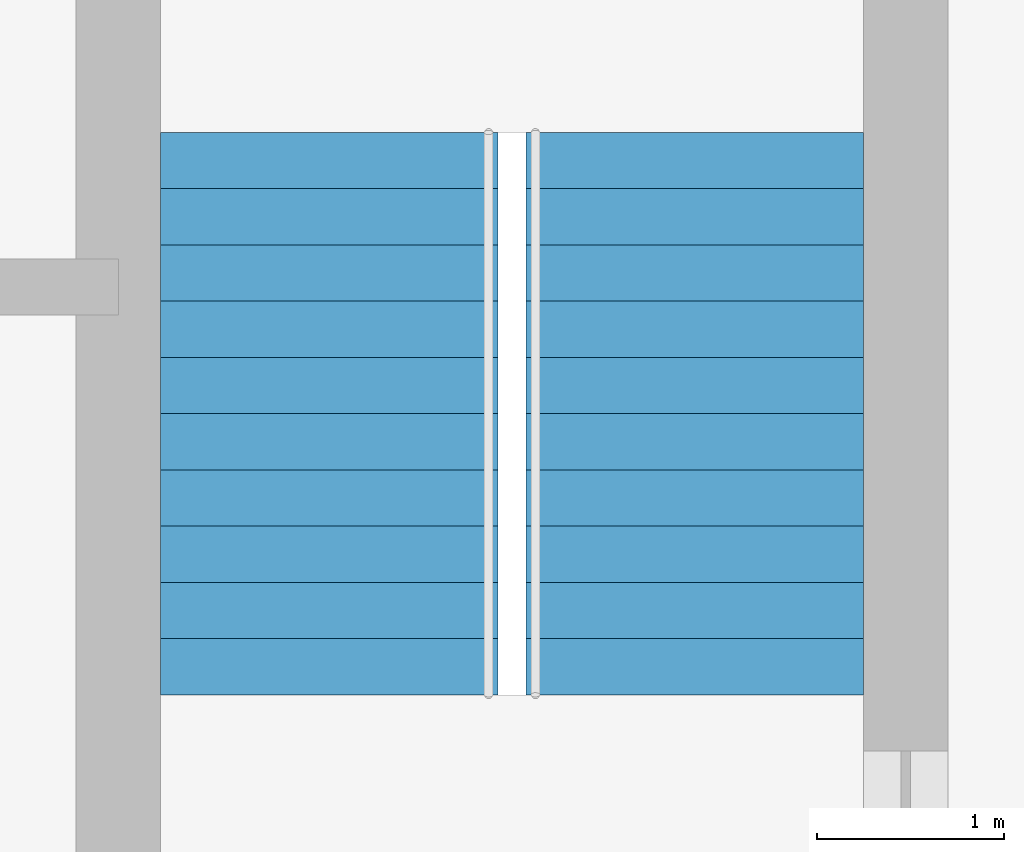
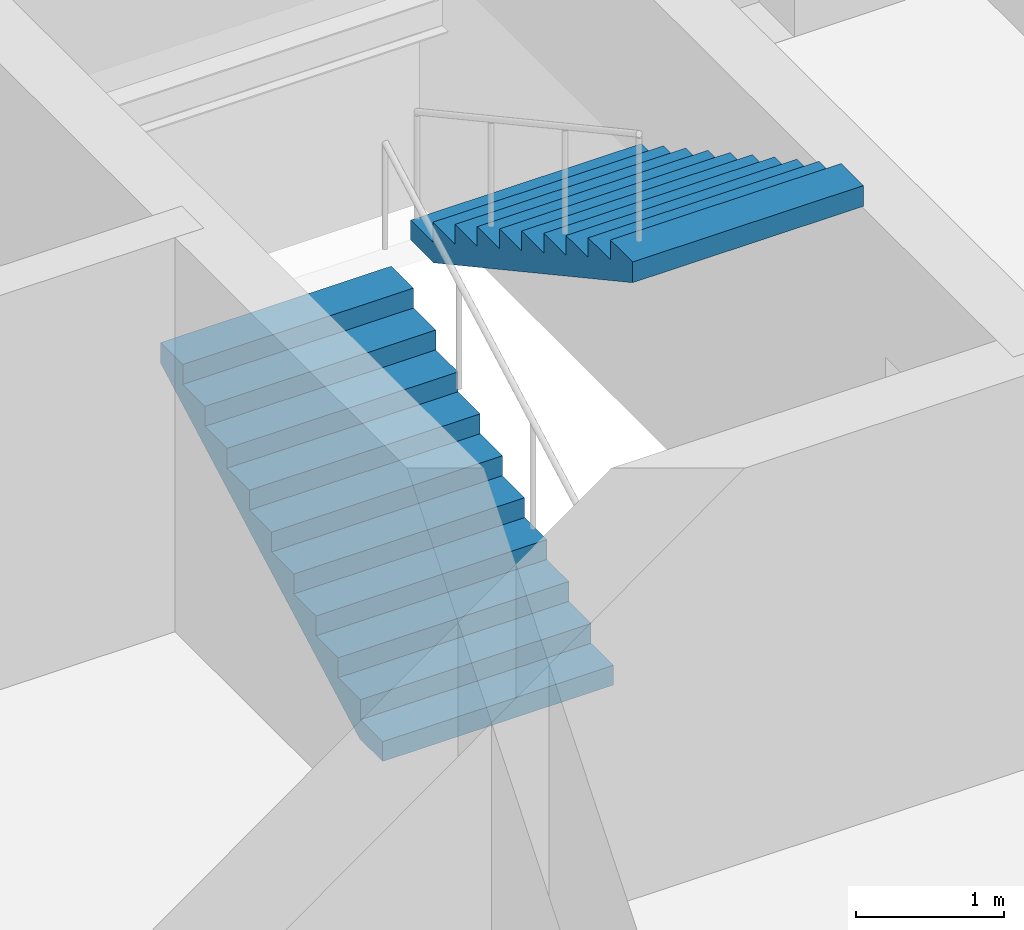
# One storey, part 13 of 14: 2 stair flights, 1 element without a shape of its own.
"""IFC4 building model written with IfcOpenShell, lengths in metres."""

from ifc_helpers import new_model, si_unit, direction, frame, origin, place, context, subcontext, project, spatial, polyline, outline, extrude, material, type_object, element, aggregate, save


model = new_model("IFC4")

# Units and contexts
model_context = context("Model", 3, precision=1e-05, world=origin(), true_north=direction((0.0, 1.0)))
body_context = subcontext(model_context, "Body", "Model", "MODEL_VIEW")
ifc_project = project(units=[si_unit("LENGTHUNIT", "METRE"), si_unit("AREAUNIT", "SQUARE_METRE"), si_unit("VOLUMEUNIT", "CUBIC_METRE"), si_unit("PLANEANGLEUNIT", "RADIAN"), si_unit("MASSUNIT", "GRAM", prefix="KILO")], contexts=[model_context])

# Site, building, storey
site_placement = place(None, origin())
site = spatial("IfcSite", under=ifc_project, at=site_placement, CompositionType="ELEMENT")
building_placement = place(site_placement, origin())
building = spatial("IfcBuilding", under=site, at=building_placement, Name="Dunama Terrace Hotel", CompositionType="ELEMENT")
storey_placement = place(building_placement, frame((0.0, 0.0, 136.800048828125)))
storey = spatial("IfcBuildingStorey", under=building, at=storey_placement, Name="L35", CompositionType="ELEMENT", Elevation=136.800048828125)

# Stair, stair flights
ifc_material_1 = material(Name="Concrete C40/50", Category="concrete")
stair_type = type_object("IfcStairType", Name="Stair ST1-3600-1800", PredefinedType="HALF_TURN_STAIR", material=ifc_material_1)
stair_placement = place(storey_placement, origin())
stair = element("IfcStair", 1, at=stair_placement, inside=storey, type_object=stair_type, Name="Stair ST1 L35", PredefinedType="HALF_TURN_STAIR")
ifc_material_2 = material(Name="Concrete C40/50", Category="concrete")
stair_flight_type = type_object("IfcStairFlightType", Name="Stair flight ST1-3600-1800", PredefinedType="STRAIGHT", material=ifc_material_2)
stair_flight_1_placement = place(storey_placement, frame((26.324951171875, 35.625, 0.0), z_axis=(0.0, 0.0, 1.0), x_axis=(0.0, 1.0, 0.0)))
stair_flight_1 = element("IfcStairFlight", 2, at=stair_flight_1_placement, type_object=stair_flight_type, Name="ST1 flight 1", NumberOfRisers=11, NumberOfTreads=10, PredefinedType="STRAIGHT", RiserHeight=0.163636364, TreadLength=0.3, context=body_context, shape_type="SweptSolid", body=[
    extrude(outline(polyline([(0.0, 0.0), (0.0, 0.16357421875), (0.300048828125, 0.16357421875), (0.300048828125, 0.327392578125), (0.60009765625, 0.327392578125), (0.60009765625, 0.490966796875), (0.89990234375, 0.490966796875), (0.89990234375, 0.654541015625), (1.199951171875, 0.654541015625), (1.199951171875, 0.818115234375), (1.5, 0.818115234375), (1.5, 0.98193359375), (1.800048828125, 0.98193359375), (1.800048828125, 1.1455078125), (2.10009765625, 1.1455078125), (2.10009765625, 1.30908203125), (2.39990234375, 1.30908203125), (2.39990234375, 1.47265625), (2.699951171875, 1.47265625), (2.699951171875, 1.636474609375), (3.0, 1.636474609375), (3.0, 1.800048828125), (3.0, 1.465576171875), (0.31298828125, 0.0), (0.0, 0.0)])), frame((0.0, 0.89990234375, 0.0), z_axis=(0.0, -1.0, 0.0), x_axis=(1.0, 0.0, 0.0)), (0.0, 0.0, 1.0), 1.800048828125),
])
stair_flight_2_placement = place(storey_placement, frame((28.27490234375, 38.625, 1.800048828125), z_axis=(0.0, 0.0, 1.0), x_axis=(0.0, -1.0, 0.0)))
stair_flight_2 = element("IfcStairFlight", 3, at=stair_flight_2_placement, type_object=stair_flight_type, Name="ST1 flight 2", NumberOfRisers=11, NumberOfTreads=10, PredefinedType="STRAIGHT", RiserHeight=0.163636364, TreadLength=0.3, context=body_context, shape_type="SweptSolid", body=[
    extrude(outline(polyline([(0.0, 0.0), (0.0, 0.16357421875), (0.300048828125, 0.16357421875), (0.300048828125, 0.327392578125), (0.60009765625, 0.327392578125), (0.60009765625, 0.490966796875), (0.89990234375, 0.490966796875), (0.89990234375, 0.654541015625), (1.199951171875, 0.654541015625), (1.199951171875, 0.818115234375), (1.5, 0.818115234375), (1.5, 0.98193359375), (1.800048828125, 0.98193359375), (1.800048828125, 1.1455078125), (2.10009765625, 1.1455078125), (2.10009765625, 1.30908203125), (2.39990234375, 1.30908203125), (2.39990234375, 1.47265625), (2.699951171875, 1.47265625), (2.699951171875, 1.636474609375), (3.0, 1.636474609375), (3.0, 1.800048828125), (3.0, 1.465576171875), (0.31298828125, 0.0), (0.0, 0.0)])), frame((0.0, 0.89990234375, 0.0), z_axis=(0.0, -1.0, 0.0), x_axis=(1.0, 0.0, 0.0)), (0.0, 0.0, 1.0), 1.800048828125),
])
aggregate(stair, [stair_flight_1, stair_flight_2])

save(model, "model.ifc")
